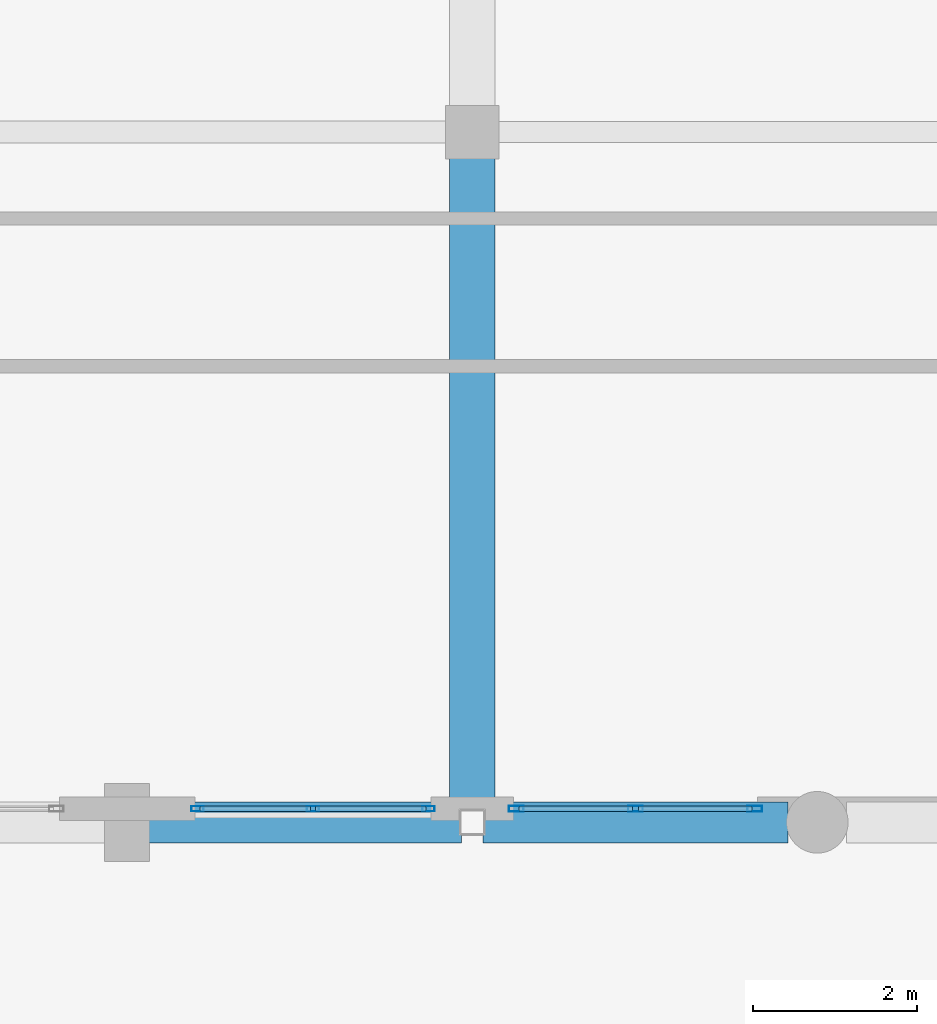
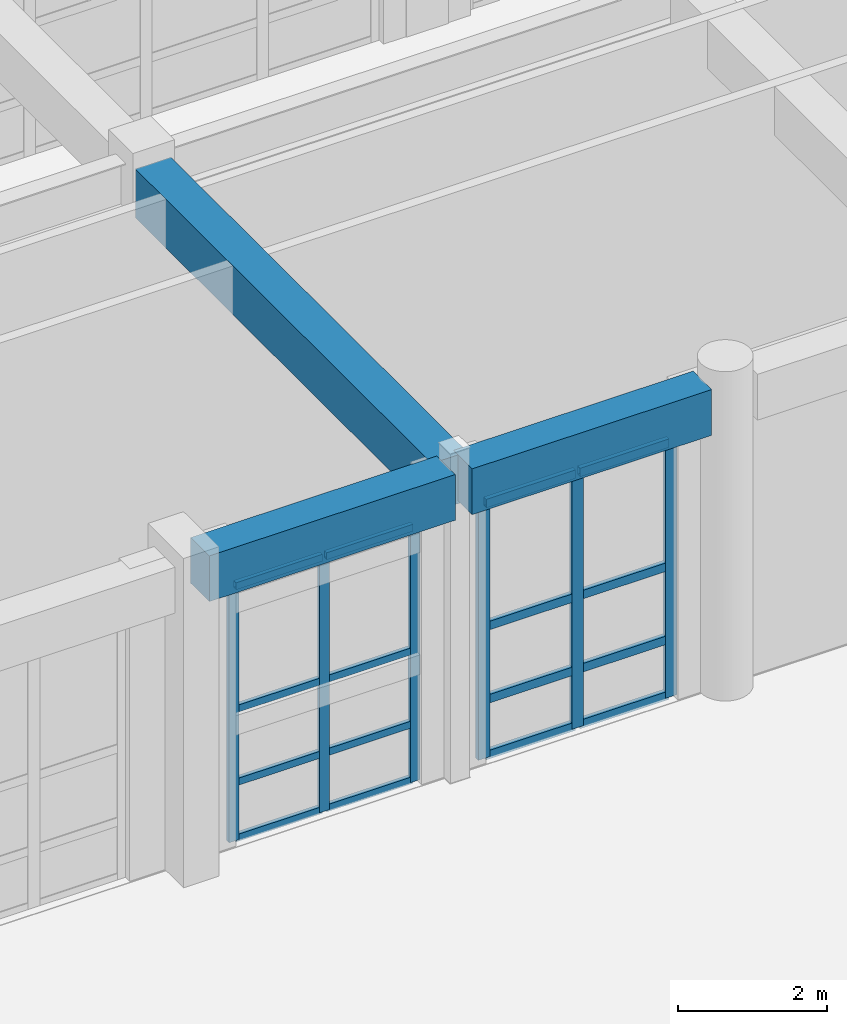
# One storey, part 73 of 148: 22 members, 3 beams, 2 elements without a shape of their own.
"""IFC4 building model written with IfcOpenShell, lengths in metres."""

from ifc_helpers import new_model, si_unit, direction, frame, origin, origin_2d, place, context, subcontext, project, spatial, rectangle, hollow_rectangle, extrude, material, layer, layer_set, material_profile, profile_set, type_object, element, aggregate, save


model = new_model("IFC4")

# Units and contexts
model_context = context("Model", 3, precision=1e-05, world=origin(), true_north=direction((0.0, 1.0)))
body_context = subcontext(model_context, "Body", "Model", "MODEL_VIEW")
ifc_project = project(units=[si_unit("LENGTHUNIT", "METRE"), si_unit("AREAUNIT", "SQUARE_METRE"), si_unit("VOLUMEUNIT", "CUBIC_METRE"), si_unit("PLANEANGLEUNIT", "RADIAN"), si_unit("MASSUNIT", "GRAM", prefix="KILO")], contexts=[model_context])

# Site, building, storey
site_placement = place(None, origin())
site = spatial("IfcSite", under=ifc_project, at=site_placement, CompositionType="ELEMENT")
building_placement = place(site_placement, origin())
building = spatial("IfcBuilding", under=site, at=building_placement, Name="Quendrovan Civic Courthouse", CompositionType="ELEMENT")
storey_placement = place(building_placement, origin())
storey = spatial("IfcBuildingStorey", under=building, at=storey_placement, Name="L01", CompositionType="ELEMENT", Elevation=0.0)

# Beams
ifc_material_1 = material(Name="Concrete C40/50", Category="concrete")
ifc_material_profile_1 = material_profile(ifc_material_1, rectangle(XDim=0.5, YDim=0.75, at=origin_2d()), Name="RC-BM-500x750")
ifc_profile_set_1 = profile_set([ifc_material_profile_1], Name="Concrete C40/50")
beam_type_1 = type_object("IfcBeamType", Name="BM-RC750", PredefinedType="SPANDREL", material=ifc_profile_set_1)
beam_1_placement = place(storey_placement, frame((96.85498046875, 64.800048828125, 4.7451171875), z_axis=(1.0, 0.0, 0.0), x_axis=(0.0, 1.0, 0.0)))
element("IfcBeam", 1, at=beam_1_placement, inside=storey, type_object=beam_type_1, Name="L01 Girder X0297", PredefinedType="SPANDREL", context=body_context, shape_type="SweptSolid", body=[
    extrude(rectangle(XDim=0.5, YDim=0.75, at=origin_2d()), origin(), (0.0, 0.0, 1.0), 3.81494140625),
])
beam_2_placement = place(storey_placement, frame((100.929931640625, 64.800048828125, 4.7451171875), z_axis=(1.0, 0.0, 0.0), x_axis=(0.0, 1.0, 0.0)))
element("IfcBeam", 2, at=beam_2_placement, inside=storey, type_object=beam_type_1, Name="L01 Girder X0298", PredefinedType="SPANDREL", context=body_context, shape_type="SweptSolid", body=[
    extrude(rectangle(XDim=0.5, YDim=0.75, at=origin_2d()), origin(), (0.0, 0.0, 1.0), 3.715087890625),
])
ifc_material_profile_2 = material_profile(ifc_material_1, rectangle(XDim=0.550048828125, YDim=0.800048828125, at=origin_2d()), Name="RC-BM-550x800")
ifc_profile_set_2 = profile_set([ifc_material_profile_2], Name="Concrete C40/50")
beam_type_2 = type_object("IfcBeamType", Name="BM-RC800", PredefinedType="BEAM", material=ifc_profile_set_2)
beam_3_placement = place(storey_placement, frame((100.800048828125, 64.929931640625, 4.719970703125), z_axis=(0.0, 1.0, 0.0), x_axis=(-1.0, 0.0, 0.0)))
element("IfcBeam", 3, at=beam_3_placement, inside=storey, type_object=beam_type_2, Name="L01 Girder Y0451", PredefinedType="BEAM", context=body_context, shape_type="SweptSolid", body=[
    extrude(rectangle(XDim=0.550048828125, YDim=0.800048828125, at=origin_2d()), origin(), (0.0, 0.0, 1.0), 7.965087890625),
])

# Curtain wall, members
ifc_material_2 = material(Name="Bronze anodised aluminium and low-E glass", Category="aluminium")
ifc_layer_1 = layer(ifc_material_2, 0.179931640625, Name="Bronze anodised aluminium and low-E glass")
ifc_layer_set_1 = layer_set([ifc_layer_1], Name="Bronze anodised aluminium and low-E glass")
curtain_wall_type_1 = type_object("IfcCurtainWallType", Name="CW-U30x42", PredefinedType="USERDEFINED", material=ifc_layer_set_1)
curtain_wall_1_placement = place(storey_placement, origin())
curtain_wall_1 = element("IfcCurtainWall", 4, at=curtain_wall_1_placement, inside=storey, type_object=curtain_wall_type_1, Name="L01 Unitised Hurricane Curtain Wall CW-056", ObjectType="UNITISED CURTAIN WALL", PredefinedType="USERDEFINED")
ifc_material_3 = material(Name="Bronze anodised aluminium", Category="aluminium")
ifc_material_profile_3 = material_profile(ifc_material_3, hollow_rectangle(XDim=0.070068359375, YDim=0.179931640625, WallThickness=0.00390625, at=origin_2d()), Name="CW-MULL-70x180")
ifc_profile_set_3 = profile_set([ifc_material_profile_3], Name="Bronze anodised aluminium")
member_type_1 = type_object("IfcMemberType", Name="CW-MULL-A", PredefinedType="MULLION", material=ifc_profile_set_3)
member_1_placement = place(storey_placement, frame((104.239990234375, 64.965087890625, 0.0), z_axis=(0.0, 0.0, 1.0), x_axis=(0.0, -1.0, 0.0)))
member_1 = element("IfcMember", 5, at=member_1_placement, type_object=member_type_1, Name="CW-056 mullion 1", PredefinedType="MULLION", context=body_context, shape_type="SweptSolid", body=[
    extrude(hollow_rectangle(XDim=0.070068359375, YDim=0.179931640625, WallThickness=0.00390625, at=origin_2d()), origin(), (0.0, 0.0, 1.0), 4.199951171875),
])
member_2_placement = place(storey_placement, frame((102.78759765625, 64.965087890625, 0.0), z_axis=(0.0, 0.0, 1.0), x_axis=(0.0, -1.0, 0.0)))
member_2 = element("IfcMember", 6, at=member_2_placement, type_object=member_type_1, Name="CW-056 mullion 2", PredefinedType="MULLION", context=body_context, shape_type="SweptSolid", body=[
    extrude(hollow_rectangle(XDim=0.070068359375, YDim=0.179931640625, WallThickness=0.00390625, at=origin_2d()), origin(), (0.0, 0.0, 1.0), 4.199951171875),
])
member_3_placement = place(storey_placement, frame((101.3349609375, 64.965087890625, 0.0), z_axis=(0.0, 0.0, 1.0), x_axis=(0.0, -1.0, 0.0)))
member_3 = element("IfcMember", 7, at=member_3_placement, type_object=member_type_1, Name="CW-056 mullion 3", PredefinedType="MULLION", context=body_context, shape_type="SweptSolid", body=[
    extrude(hollow_rectangle(XDim=0.070068359375, YDim=0.179931640625, WallThickness=0.00390625, at=origin_2d()), origin(), (0.0, 0.0, 1.0), 4.199951171875),
])

ifc_layer_2 = layer(ifc_material_2, 0.179931640625, Name="Bronze anodised aluminium and low-E glass")
ifc_layer_set_2 = layer_set([ifc_layer_2], Name="Bronze anodised aluminium and low-E glass")
curtain_wall_type_2 = type_object("IfcCurtainWallType", Name="CW-U29x42", PredefinedType="USERDEFINED", material=ifc_layer_set_2)
curtain_wall_2_placement = place(storey_placement, origin())
curtain_wall_2 = element("IfcCurtainWall", 8, at=curtain_wall_2_placement, inside=storey, type_object=curtain_wall_type_2, Name="L01 Unitised Hurricane Curtain Wall CW-057", ObjectType="UNITISED CURTAIN WALL", PredefinedType="USERDEFINED")
ifc_material_profile_4 = material_profile(ifc_material_3, hollow_rectangle(XDim=0.06494140625, YDim=0.14990234375, WallThickness=0.00390625, at=origin_2d()), Name="CW-MULL-65x150")
ifc_profile_set_4 = profile_set([ifc_material_profile_4], Name="Bronze anodised aluminium")
member_type_2 = type_object("IfcMemberType", Name="CW-MULL-B", PredefinedType="MULLION", material=ifc_profile_set_4)
member_4_placement = place(storey_placement, frame((100.267578125, 64.965087890625, 0.0), z_axis=(0.0, 0.0, 1.0), x_axis=(0.0, -1.0, 0.0)))
member_4 = element("IfcMember", 9, at=member_4_placement, type_object=member_type_2, Name="CW-057 mullion 1", PredefinedType="MULLION", context=body_context, shape_type="SweptSolid", body=[
    extrude(hollow_rectangle(XDim=0.06494140625, YDim=0.14990234375, WallThickness=0.00390625, at=origin_2d()), origin(), (0.0, 0.0, 1.0), 4.199951171875),
])
member_5_placement = place(storey_placement, frame((98.862548828125, 64.965087890625, 0.0), z_axis=(0.0, 0.0, 1.0), x_axis=(0.0, -1.0, 0.0)))
member_5 = element("IfcMember", 10, at=member_5_placement, type_object=member_type_2, Name="CW-057 mullion 2", PredefinedType="MULLION", context=body_context, shape_type="SweptSolid", body=[
    extrude(hollow_rectangle(XDim=0.06494140625, YDim=0.14990234375, WallThickness=0.00390625, at=origin_2d()), origin(), (0.0, 0.0, 1.0), 4.199951171875),
])
member_6_placement = place(storey_placement, frame((97.45751953125, 64.965087890625, 0.0), z_axis=(0.0, 0.0, 1.0), x_axis=(0.0, -1.0, 0.0)))
member_6 = element("IfcMember", 11, at=member_6_placement, type_object=member_type_2, Name="CW-057 mullion 3", PredefinedType="MULLION", context=body_context, shape_type="SweptSolid", body=[
    extrude(hollow_rectangle(XDim=0.06494140625, YDim=0.14990234375, WallThickness=0.00390625, at=origin_2d()), origin(), (0.0, 0.0, 1.0), 4.199951171875),
])

# Member
ifc_material_profile_5 = material_profile(ifc_material_3, hollow_rectangle(XDim=0.070068359375, YDim=0.139892578125, WallThickness=0.00390625, at=origin_2d()), Name="CW-TRAN-70x140")
ifc_profile_set_5 = profile_set([ifc_material_profile_5], Name="Bronze anodised aluminium")
member_type_3 = type_object("IfcMemberType", Name="CW-TRAN-A", PredefinedType="USERDEFINED", material=ifc_profile_set_5)
member_7_placement = place(storey_placement, frame((104.205078125, 64.965087890625, 0.034912109375), z_axis=(-1.0, 0.0, 0.0), x_axis=(0.0, -1.0, 0.0)))
member_7 = element("IfcMember", 12, at=member_7_placement, type_object=member_type_3, Name="CW-056 transom 1.1", ObjectType="TRANSOM", PredefinedType="USERDEFINED", context=body_context, shape_type="SweptSolid", body=[
    extrude(hollow_rectangle(XDim=0.070068359375, YDim=0.139892578125, WallThickness=0.00390625, at=origin_2d()), origin(), (0.0, 0.0, 1.0), 1.382568359375),
])

member_8_placement = place(storey_placement, frame((104.205078125, 64.965087890625, 0.949951171875), z_axis=(-1.0, 0.0, 0.0), x_axis=(0.0, -1.0, 0.0)))
member_8 = element("IfcMember", 13, at=member_8_placement, type_object=member_type_3, Name="CW-056 transom 1.2", ObjectType="TRANSOM", PredefinedType="USERDEFINED", context=body_context, shape_type="SweptSolid", body=[
    extrude(hollow_rectangle(XDim=0.070068359375, YDim=0.139892578125, WallThickness=0.00390625, at=origin_2d()), origin(), (0.0, 0.0, 1.0), 1.382568359375),
])

member_9_placement = place(storey_placement, frame((104.205078125, 64.965087890625, 2.14990234375), z_axis=(-1.0, 0.0, 0.0), x_axis=(0.0, -1.0, 0.0)))
member_9 = element("IfcMember", 14, at=member_9_placement, type_object=member_type_3, Name="CW-056 transom 1.3", ObjectType="TRANSOM", PredefinedType="USERDEFINED", context=body_context, shape_type="SweptSolid", body=[
    extrude(hollow_rectangle(XDim=0.070068359375, YDim=0.139892578125, WallThickness=0.00390625, at=origin_2d()), origin(), (0.0, 0.0, 1.0), 1.382568359375),
])

member_10_placement = place(storey_placement, frame((104.205078125, 64.965087890625, 4.1650390625), z_axis=(-1.0, 0.0, 0.0), x_axis=(0.0, -1.0, 0.0)))
member_10 = element("IfcMember", 15, at=member_10_placement, type_object=member_type_3, Name="CW-056 transom 1.4", ObjectType="TRANSOM", PredefinedType="USERDEFINED", context=body_context, shape_type="SweptSolid", body=[
    extrude(hollow_rectangle(XDim=0.070068359375, YDim=0.139892578125, WallThickness=0.00390625, at=origin_2d()), origin(), (0.0, 0.0, 1.0), 1.382568359375),
])

member_11_placement = place(storey_placement, frame((102.75244140625, 64.965087890625, 0.034912109375), z_axis=(-1.0, 0.0, 0.0), x_axis=(0.0, -1.0, 0.0)))
member_11 = element("IfcMember", 16, at=member_11_placement, type_object=member_type_3, Name="CW-056 transom 2.1", ObjectType="TRANSOM", PredefinedType="USERDEFINED", context=body_context, shape_type="SweptSolid", body=[
    extrude(hollow_rectangle(XDim=0.070068359375, YDim=0.139892578125, WallThickness=0.00390625, at=origin_2d()), origin(), (0.0, 0.0, 1.0), 1.38232421875),
])

member_12_placement = place(storey_placement, frame((102.75244140625, 64.965087890625, 0.949951171875), z_axis=(-1.0, 0.0, 0.0), x_axis=(0.0, -1.0, 0.0)))
member_12 = element("IfcMember", 17, at=member_12_placement, type_object=member_type_3, Name="CW-056 transom 2.2", ObjectType="TRANSOM", PredefinedType="USERDEFINED", context=body_context, shape_type="SweptSolid", body=[
    extrude(hollow_rectangle(XDim=0.070068359375, YDim=0.139892578125, WallThickness=0.00390625, at=origin_2d()), origin(), (0.0, 0.0, 1.0), 1.38232421875),
])

member_13_placement = place(storey_placement, frame((102.75244140625, 64.965087890625, 2.14990234375), z_axis=(-1.0, 0.0, 0.0), x_axis=(0.0, -1.0, 0.0)))
member_13 = element("IfcMember", 18, at=member_13_placement, type_object=member_type_3, Name="CW-056 transom 2.3", ObjectType="TRANSOM", PredefinedType="USERDEFINED", context=body_context, shape_type="SweptSolid", body=[
    extrude(hollow_rectangle(XDim=0.070068359375, YDim=0.139892578125, WallThickness=0.00390625, at=origin_2d()), origin(), (0.0, 0.0, 1.0), 1.38232421875),
])

member_14_placement = place(storey_placement, frame((102.75244140625, 64.965087890625, 4.1650390625), z_axis=(-1.0, 0.0, 0.0), x_axis=(0.0, -1.0, 0.0)))
member_14 = element("IfcMember", 19, at=member_14_placement, type_object=member_type_3, Name="CW-056 transom 2.4", ObjectType="TRANSOM", PredefinedType="USERDEFINED", context=body_context, shape_type="SweptSolid", body=[
    extrude(hollow_rectangle(XDim=0.070068359375, YDim=0.139892578125, WallThickness=0.00390625, at=origin_2d()), origin(), (0.0, 0.0, 1.0), 1.38232421875),
])

aggregate(curtain_wall_1, [member_1, member_2, member_3, member_7, member_8, member_9, member_10, member_11, member_12, member_13, member_14])

ifc_material_profile_6 = material_profile(ifc_material_3, hollow_rectangle(XDim=0.06494140625, YDim=0.114990234375, WallThickness=0.00390625, at=origin_2d()), Name="CW-TRAN-65x115")
ifc_profile_set_6 = profile_set([ifc_material_profile_6], Name="Bronze anodised aluminium")
member_type_4 = type_object("IfcMemberType", Name="CW-TRAN-B", PredefinedType="USERDEFINED", material=ifc_profile_set_6)
member_15_placement = place(storey_placement, frame((100.235107421875, 64.965087890625, 0.032470703125), z_axis=(-1.0, 0.0, 0.0), x_axis=(0.0, -1.0, 0.0)))
member_15 = element("IfcMember", 20, at=member_15_placement, type_object=member_type_4, Name="CW-057 transom 1.1", ObjectType="TRANSOM", PredefinedType="USERDEFINED", context=body_context, shape_type="SweptSolid", body=[
    extrude(hollow_rectangle(XDim=0.06494140625, YDim=0.114990234375, WallThickness=0.00390625, at=origin_2d()), origin(), (0.0, 0.0, 1.0), 1.340087890625),
])

member_16_placement = place(storey_placement, frame((100.235107421875, 64.965087890625, 0.949951171875), z_axis=(-1.0, 0.0, 0.0), x_axis=(0.0, -1.0, 0.0)))
member_16 = element("IfcMember", 21, at=member_16_placement, type_object=member_type_4, Name="CW-057 transom 1.2", ObjectType="TRANSOM", PredefinedType="USERDEFINED", context=body_context, shape_type="SweptSolid", body=[
    extrude(hollow_rectangle(XDim=0.06494140625, YDim=0.114990234375, WallThickness=0.00390625, at=origin_2d()), origin(), (0.0, 0.0, 1.0), 1.340087890625),
])

member_17_placement = place(storey_placement, frame((100.235107421875, 64.965087890625, 2.14990234375), z_axis=(-1.0, 0.0, 0.0), x_axis=(0.0, -1.0, 0.0)))
member_17 = element("IfcMember", 22, at=member_17_placement, type_object=member_type_4, Name="CW-057 transom 1.3", ObjectType="TRANSOM", PredefinedType="USERDEFINED", context=body_context, shape_type="SweptSolid", body=[
    extrude(hollow_rectangle(XDim=0.06494140625, YDim=0.114990234375, WallThickness=0.00390625, at=origin_2d()), origin(), (0.0, 0.0, 1.0), 1.340087890625),
])

member_18_placement = place(storey_placement, frame((100.235107421875, 64.965087890625, 4.16748046875), z_axis=(-1.0, 0.0, 0.0), x_axis=(0.0, -1.0, 0.0)))
member_18 = element("IfcMember", 23, at=member_18_placement, type_object=member_type_4, Name="CW-057 transom 1.4", ObjectType="TRANSOM", PredefinedType="USERDEFINED", context=body_context, shape_type="SweptSolid", body=[
    extrude(hollow_rectangle(XDim=0.06494140625, YDim=0.114990234375, WallThickness=0.00390625, at=origin_2d()), origin(), (0.0, 0.0, 1.0), 1.340087890625),
])

member_19_placement = place(storey_placement, frame((98.830078125, 64.965087890625, 0.032470703125), z_axis=(-1.0, 0.0, 0.0), x_axis=(0.0, -1.0, 0.0)))
member_19 = element("IfcMember", 24, at=member_19_placement, type_object=member_type_4, Name="CW-057 transom 2.1", ObjectType="TRANSOM", PredefinedType="USERDEFINED", context=body_context, shape_type="SweptSolid", body=[
    extrude(hollow_rectangle(XDim=0.06494140625, YDim=0.114990234375, WallThickness=0.00390625, at=origin_2d()), origin(), (0.0, 0.0, 1.0), 1.340087890625),
])

member_20_placement = place(storey_placement, frame((98.830078125, 64.965087890625, 0.949951171875), z_axis=(-1.0, 0.0, 0.0), x_axis=(0.0, -1.0, 0.0)))
member_20 = element("IfcMember", 25, at=member_20_placement, type_object=member_type_4, Name="CW-057 transom 2.2", ObjectType="TRANSOM", PredefinedType="USERDEFINED", context=body_context, shape_type="SweptSolid", body=[
    extrude(hollow_rectangle(XDim=0.06494140625, YDim=0.114990234375, WallThickness=0.00390625, at=origin_2d()), origin(), (0.0, 0.0, 1.0), 1.340087890625),
])

member_21_placement = place(storey_placement, frame((98.830078125, 64.965087890625, 2.14990234375), z_axis=(-1.0, 0.0, 0.0), x_axis=(0.0, -1.0, 0.0)))
member_21 = element("IfcMember", 26, at=member_21_placement, type_object=member_type_4, Name="CW-057 transom 2.3", ObjectType="TRANSOM", PredefinedType="USERDEFINED", context=body_context, shape_type="SweptSolid", body=[
    extrude(hollow_rectangle(XDim=0.06494140625, YDim=0.114990234375, WallThickness=0.00390625, at=origin_2d()), origin(), (0.0, 0.0, 1.0), 1.340087890625),
])

member_22_placement = place(storey_placement, frame((98.830078125, 64.965087890625, 4.16748046875), z_axis=(-1.0, 0.0, 0.0), x_axis=(0.0, -1.0, 0.0)))
member_22 = element("IfcMember", 27, at=member_22_placement, type_object=member_type_4, Name="CW-057 transom 2.4", ObjectType="TRANSOM", PredefinedType="USERDEFINED", context=body_context, shape_type="SweptSolid", body=[
    extrude(hollow_rectangle(XDim=0.06494140625, YDim=0.114990234375, WallThickness=0.00390625, at=origin_2d()), origin(), (0.0, 0.0, 1.0), 1.340087890625),
])

aggregate(curtain_wall_2, [member_4, member_5, member_6, member_15, member_16, member_17, member_18, member_19, member_20, member_21, member_22])

save(model, "model.ifc")
